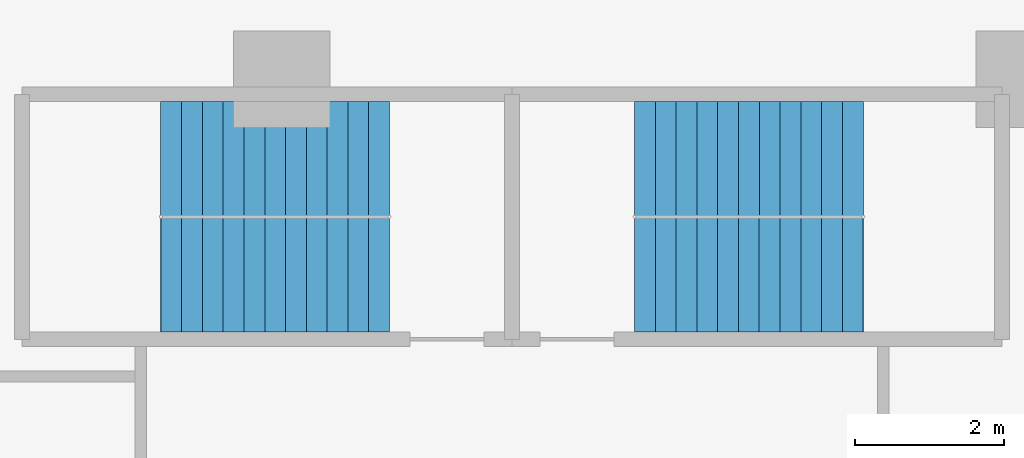
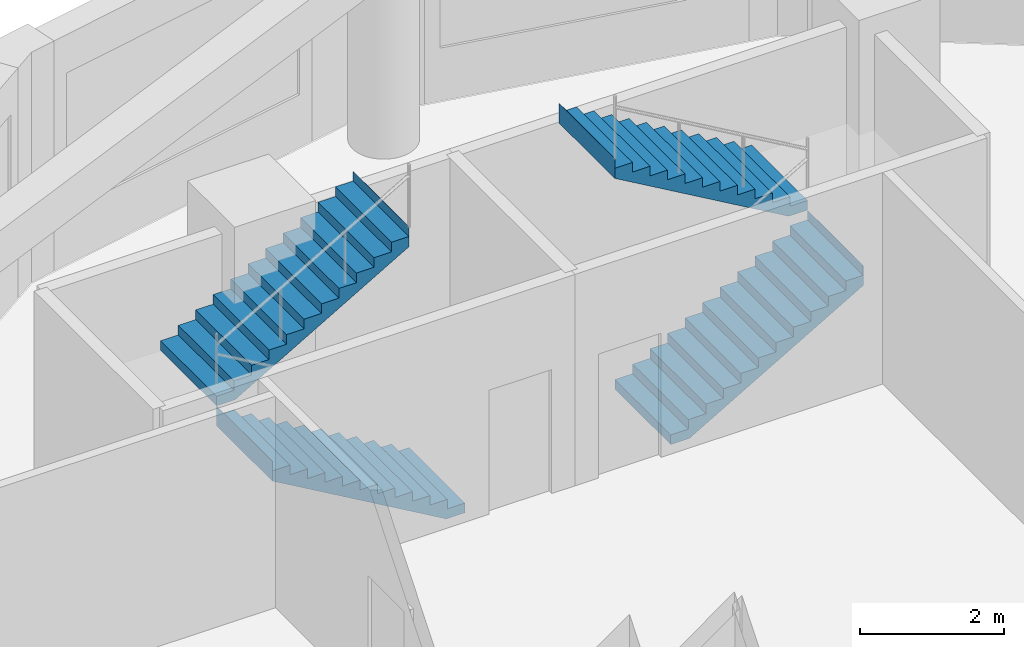
# One storey, part 7 of 9: 4 stair flights, 2 elements without a shape of their own.
"""IFC4 building model written with IfcOpenShell, lengths in metres."""

from ifc_helpers import new_model, si_unit, direction, frame, origin, place, context, subcontext, project, spatial, polyline, outline, extrude, material, type_object, element, aggregate, save


model = new_model("IFC4")

# Units and contexts
model_context = context("Model", 3, precision=1e-05, world=origin(), true_north=direction((0.0, 1.0)))
body_context = subcontext(model_context, "Body", "Model", "MODEL_VIEW")
ifc_project = project(units=[si_unit("LENGTHUNIT", "METRE"), si_unit("AREAUNIT", "SQUARE_METRE"), si_unit("VOLUMEUNIT", "CUBIC_METRE"), si_unit("PLANEANGLEUNIT", "RADIAN"), si_unit("MASSUNIT", "GRAM", prefix="KILO")], contexts=[model_context])

# Site, building, storey
site_placement = place(None, origin())
site = spatial("IfcSite", under=ifc_project, at=site_placement, CompositionType="ELEMENT")
building_placement = place(site_placement, origin())
building = spatial("IfcBuilding", under=site, at=building_placement, Name="Qaws Garden Tower", CompositionType="ELEMENT")
storey_placement = place(building_placement, frame((0.0, 0.0, 225.300048828125)))
storey = spatial("IfcBuildingStorey", under=building, at=storey_placement, Name="L55", CompositionType="ELEMENT", Elevation=225.300048828125)

# Stair, stair flights
ifc_material_1 = material(Name="Concrete C40", Category="concrete")
stair_type = type_object("IfcStairType", Name="Exit stair 1350", PredefinedType="HALF_TURN_STAIR", material=ifc_material_1)
placement = place(storey_placement, origin())
stair_1 = element("IfcStair", 1, at=placement, inside=storey, type_object=stair_type, Name="Stair 6", PredefinedType="HALF_TURN_STAIR")
ifc_material_2 = material(Name="Concrete C40", Category="concrete")
stair_flight_type = type_object("IfcStairFlightType", Name="Stair flight 1350", PredefinedType="STRAIGHT", material=ifc_material_2)
stair_flight_1_placement = place(storey_placement, frame((11.449951171875, 67.375, 0.0), z_axis=(0.0, 0.0, 1.0), x_axis=(-1.0, 0.0, 0.0)))
stair_flight_1 = element("IfcStairFlight", 2, at=stair_flight_1_placement, type_object=stair_flight_type, Name="ST6 flight 1", NumberOfRisers=12, NumberOfTreads=11, PredefinedType="STRAIGHT", RiserHeight=0.1625, TreadLength=0.28, context=body_context, shape_type="SweptSolid", body=[
    extrude(outline(polyline([(-0.0029296875, 0.0), (-0.0029296875, 0.16259765625), (0.0, 0.16259765625), (0.280029296875, 0.16259765625), (0.280029296875, 0.324951171875), (0.56005859375, 0.324951171875), (0.56005859375, 0.487548828125), (0.840087890625, 0.487548828125), (0.840087890625, 0.64990234375), (1.1201171875, 0.64990234375), (1.1201171875, 0.8125), (1.39990234375, 0.8125), (1.39990234375, 0.97509765625), (1.679931640625, 0.97509765625), (1.679931640625, 1.137451171875), (1.9599609375, 1.137451171875), (1.9599609375, 1.300048828125), (2.239990234375, 1.300048828125), (2.239990234375, 1.46240234375), (2.52001953125, 1.46240234375), (2.52001953125, 1.625), (2.800048828125, 1.625), (2.800048828125, 1.78759765625), (3.080078125, 1.78759765625), (3.080078125, 1.949951171875), (3.0830078125, 1.949951171875), (3.0830078125, 1.6142578125), (3.080078125, 1.6142578125), (0.298583984375, 0.0), (-0.0029296875, 0.0)])), frame((0.0, 0.77490234375, 0.0), z_axis=(0.0, -1.0, 0.0), x_axis=(1.0, 0.0, 0.0)), (0.0, 0.0, 1.0), 1.550048828125),
])
stair_flight_2_placement = place(storey_placement, frame((8.3701171875, 68.925048828125, 1.949951171875), z_axis=(0.0, 0.0, 1.0), x_axis=(1.0, 0.0, 0.0)))
stair_flight_2 = element("IfcStairFlight", 3, at=stair_flight_2_placement, type_object=stair_flight_type, Name="ST6 flight 2", NumberOfRisers=12, NumberOfTreads=11, PredefinedType="STRAIGHT", RiserHeight=0.1625, TreadLength=0.28, context=body_context, shape_type="SweptSolid", body=[
    extrude(outline(polyline([(-0.0029296875, 0.0), (-0.0029296875, 0.16259765625), (0.0, 0.16259765625), (0.280029296875, 0.16259765625), (0.280029296875, 0.324951171875), (0.56005859375, 0.324951171875), (0.56005859375, 0.487548828125), (0.840087890625, 0.487548828125), (0.840087890625, 0.64990234375), (1.1201171875, 0.64990234375), (1.1201171875, 0.8125), (1.39990234375, 0.8125), (1.39990234375, 0.97509765625), (1.679931640625, 0.97509765625), (1.679931640625, 1.137451171875), (1.9599609375, 1.137451171875), (1.9599609375, 1.300048828125), (2.239990234375, 1.300048828125), (2.239990234375, 1.46240234375), (2.52001953125, 1.46240234375), (2.52001953125, 1.625), (2.800048828125, 1.625), (2.800048828125, 1.78759765625), (3.080078125, 1.78759765625), (3.080078125, 1.949951171875), (3.0830078125, 1.949951171875), (3.0830078125, 1.6142578125), (3.080078125, 1.6142578125), (0.298583984375, 0.0), (-0.0029296875, 0.0)])), frame((0.0, 0.77490234375, 0.0), z_axis=(0.0, -1.0, 0.0), x_axis=(1.0, 0.0, 0.0)), (0.0, 0.0, 1.0), 1.550048828125),
])
aggregate(stair_1, [stair_flight_1, stair_flight_2])

stair_2 = element("IfcStair", 4, at=placement, inside=storey, type_object=stair_type, Name="Stair 7", PredefinedType="HALF_TURN_STAIR")
stair_flight_3_placement = place(storey_placement, frame((14.75, 67.375, 0.0), z_axis=(0.0, 0.0, 1.0), x_axis=(1.0, 0.0, 0.0)))
stair_flight_3 = element("IfcStairFlight", 5, at=stair_flight_3_placement, type_object=stair_flight_type, Name="ST7 flight 1", NumberOfRisers=12, NumberOfTreads=11, PredefinedType="STRAIGHT", RiserHeight=0.1625, TreadLength=0.28, context=body_context, shape_type="SweptSolid", body=[
    extrude(outline(polyline([(-0.0029296875, 0.0), (-0.0029296875, 0.16259765625), (0.0, 0.16259765625), (0.280029296875, 0.16259765625), (0.280029296875, 0.324951171875), (0.56005859375, 0.324951171875), (0.56005859375, 0.487548828125), (0.840087890625, 0.487548828125), (0.840087890625, 0.64990234375), (1.1201171875, 0.64990234375), (1.1201171875, 0.8125), (1.39990234375, 0.8125), (1.39990234375, 0.97509765625), (1.679931640625, 0.97509765625), (1.679931640625, 1.137451171875), (1.9599609375, 1.137451171875), (1.9599609375, 1.300048828125), (2.239990234375, 1.300048828125), (2.239990234375, 1.46240234375), (2.52001953125, 1.46240234375), (2.52001953125, 1.625), (2.800048828125, 1.625), (2.800048828125, 1.78759765625), (3.080078125, 1.78759765625), (3.080078125, 1.949951171875), (3.0830078125, 1.949951171875), (3.0830078125, 1.6142578125), (3.080078125, 1.6142578125), (0.298583984375, 0.0), (-0.0029296875, 0.0)])), frame((0.0, 0.77490234375, 0.0), z_axis=(0.0, -1.0, 0.0), x_axis=(1.0, 0.0, 0.0)), (0.0, 0.0, 1.0), 1.550048828125),
])
stair_flight_4_placement = place(storey_placement, frame((17.830078125, 68.925048828125, 1.949951171875), z_axis=(0.0, 0.0, 1.0), x_axis=(-1.0, 0.0, 0.0)))
stair_flight_4 = element("IfcStairFlight", 6, at=stair_flight_4_placement, type_object=stair_flight_type, Name="ST7 flight 2", NumberOfRisers=12, NumberOfTreads=11, PredefinedType="STRAIGHT", RiserHeight=0.1625, TreadLength=0.28, context=body_context, shape_type="SweptSolid", body=[
    extrude(outline(polyline([(-0.0029296875, 0.0), (-0.0029296875, 0.16259765625), (0.0, 0.16259765625), (0.280029296875, 0.16259765625), (0.280029296875, 0.324951171875), (0.56005859375, 0.324951171875), (0.56005859375, 0.487548828125), (0.840087890625, 0.487548828125), (0.840087890625, 0.64990234375), (1.1201171875, 0.64990234375), (1.1201171875, 0.8125), (1.39990234375, 0.8125), (1.39990234375, 0.97509765625), (1.679931640625, 0.97509765625), (1.679931640625, 1.137451171875), (1.9599609375, 1.137451171875), (1.9599609375, 1.300048828125), (2.239990234375, 1.300048828125), (2.239990234375, 1.46240234375), (2.52001953125, 1.46240234375), (2.52001953125, 1.625), (2.800048828125, 1.625), (2.800048828125, 1.78759765625), (3.080078125, 1.78759765625), (3.080078125, 1.949951171875), (3.0830078125, 1.949951171875), (3.0830078125, 1.6142578125), (3.080078125, 1.6142578125), (0.298583984375, 0.0), (-0.0029296875, 0.0)])), frame((0.0, 0.77490234375, 0.0), z_axis=(0.0, -1.0, 0.0), x_axis=(1.0, 0.0, 0.0)), (0.0, 0.0, 1.0), 1.550048828125),
])
aggregate(stair_2, [stair_flight_3, stair_flight_4])

save(model, "model.ifc")
